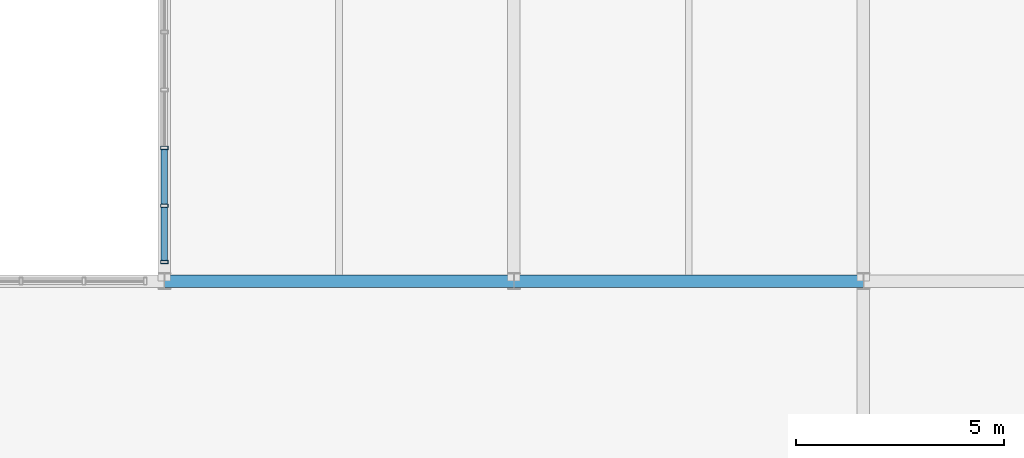
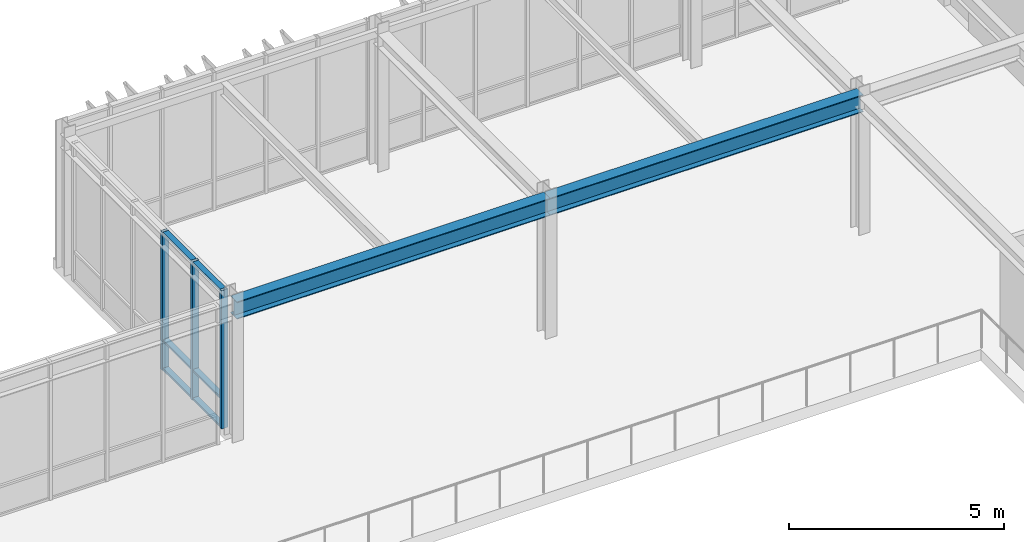
# One storey, part 50 of 127: 9 members, 2 beams, 1 element without a shape of its own.
"""IFC4 building model written with IfcOpenShell, lengths in metres."""

import ifcopenshell
import ifcopenshell.guid

model = None  # the IFC model being written
_history = None  # IfcOwnerHistory: only IFC2X3 demands one
_inside = {}  # id of a spatial element -> (the spatial element, [elements in it])
_under = {}  # id of a project, library or spatial element -> (it, [spatial elements below it])
_declared = {}  # id of a project -> (the project, [libraries it declares])
_typed = {}  # id of a type object -> (the type object, [elements of that type])
_made_of = {}  # id of a material, layer set ... -> (it, [elements and type objects made of it])


def new_model(schema):
    """Start an empty IFC model of exactly this schema.

    Asked for "IFC4X3", IfcOpenShell would pick the latest addendum, in which some entities
    have other attributes; the version numbers below select the first issue.
    IFC2X3 requires an IfcOwnerHistory on every rooted entity: one is made here for all.
    """
    global model, _history
    if schema == "IFC4X3":
        model = ifcopenshell.file(schema_version=(4, 3, 0, 0))
    else:
        model = ifcopenshell.file(schema=schema)
    _inside.clear()
    _under.clear()
    _declared.clear()
    _typed.clear()
    _made_of.clear()
    _history = None
    if model.schema == "IFC2X3":
        org = make("IfcOrganization", Name="unknown")
        user = make(
            "IfcPersonAndOrganization",
            ThePerson=make("IfcPerson", FamilyName="unknown"),
            TheOrganization=org,
        )
        app = make(
            "IfcApplication",
            ApplicationDeveloper=org,
            Version="unknown",
            ApplicationFullName="unknown",
            ApplicationIdentifier="unknown",
        )
        _history = make(
            "IfcOwnerHistory",
            OwningUser=user,
            OwningApplication=app,
            ChangeAction="ADDED",
            CreationDate=0,
        )
    return model


def make(cls, **values):
    """One entity of the class cls with the attributes given. An attribute that is None is left unset."""
    return model.create_entity(
        cls, **{name: value for name, value in values.items() if value is not None}
    )


def rooted(cls, **values):
    """An entity with a GlobalId (a new one), such as an element, a storey or a relation."""
    return make(cls, GlobalId=ifcopenshell.guid.new(), OwnerHistory=_history, **values)


def si_unit(unit_type, name, prefix=None):
    """IfcSIUnit, for example si_unit("LENGTHUNIT", "METRE", prefix="MILLI")."""
    return make("IfcSIUnit", UnitType=unit_type, Prefix=prefix, Name=name)


def assignment(units):
    """IfcUnitAssignment: the units of a project."""
    return None if units is None else make("IfcUnitAssignment", Units=units)


def point(xyz):
    """IfcCartesianPoint."""
    return None if xyz is None else make("IfcCartesianPoint", Coordinates=xyz)


def direction(xyz):
    """IfcDirection."""
    return None if xyz is None else make("IfcDirection", DirectionRatios=xyz)


def frame(location, z_axis=None, x_axis=None):
    """IfcAxis2Placement3D, a coordinate frame: its origin and axes. An axis left out is left unset."""
    return make(
        "IfcAxis2Placement3D",
        Location=point(location),
        Axis=direction(z_axis),
        RefDirection=direction(x_axis),
    )


def frame_2d(location, x_axis=None):
    """IfcAxis2Placement2D, a coordinate frame in the plane: its origin and x axis."""
    return make(
        "IfcAxis2Placement2D", Location=point(location), RefDirection=direction(x_axis)
    )


def origin():
    """The frame at (0, 0, 0) with its axes left unset."""
    return frame((0.0, 0.0, 0.0))


def origin_2d():
    """The frame at (0, 0) in the plane with its x axis left unset."""
    return frame_2d((0.0, 0.0))


def place(relative_to, where):
    """IfcLocalPlacement: puts the frame where relative to a parent placement (None: the world)."""
    return make(
        "IfcLocalPlacement", PlacementRelTo=relative_to, RelativePlacement=where
    )


def context(
    kind, dimensions, precision=None, world=None, true_north=None, identifier=None
):
    """IfcGeometricRepresentationContext, for example the 3D "Model" context."""
    return make(
        "IfcGeometricRepresentationContext",
        ContextIdentifier=identifier,
        ContextType=kind,
        CoordinateSpaceDimension=dimensions,
        Precision=precision,
        WorldCoordinateSystem=world,
        TrueNorth=true_north,
    )


def subcontext(parent, identifier, kind, view, scale=None):
    """IfcGeometricRepresentationSubContext, for example "Body" below "Model"."""
    return make(
        "IfcGeometricRepresentationSubContext",
        ContextIdentifier=identifier,
        ContextType=kind,
        ParentContext=parent,
        TargetScale=scale,
        TargetView=view,
    )


def project(units=None, contexts=None):
    """IfcProject with its units and contexts."""
    return rooted(
        "IfcProject",
        Name="project",
        RepresentationContexts=contexts,
        UnitsInContext=assignment(units),
    )


def spatial(cls, under=None, at=None, **own):
    """A site, building, storey or space (cls), placed at a placement, below another one or the project."""
    s = rooted(cls, ObjectPlacement=at, **own)
    if under is not None:
        _under.setdefault(under.id(), (under, []))[1].append(s)
    return s


def profile(cls, at=None, kind="AREA", **sizes):
    """A parametric profile (cls). Its sizes go by their IFC names, for example OverallWidth=200.0."""
    return make(cls, ProfileType=kind, Position=at, **sizes)


def hollow_rectangle(**sizes):
    """IfcRectangleHollowProfileDef."""
    return profile("IfcRectangleHollowProfileDef", **sizes)


def i_section(**sizes):
    """IfcIShapeProfileDef."""
    return profile("IfcIShapeProfileDef", **sizes)


def extrude(swept, where, along, depth):
    """IfcExtrudedAreaSolid: the profile swept, set in the frame where, extruded along a direction by depth."""
    return make(
        "IfcExtrudedAreaSolid",
        SweptArea=swept,
        Position=where,
        ExtrudedDirection=direction(along),
        Depth=depth,
    )


def shape(context_of_items, identifier, shape_type, items):
    """IfcShapeRepresentation: the items that make up one representation, for example the "Body"."""
    return make(
        "IfcShapeRepresentation",
        ContextOfItems=context_of_items,
        RepresentationIdentifier=identifier,
        RepresentationType=shape_type,
        Items=items,
    )


def material(Name=None, Category=None):
    """IfcMaterial."""
    return make("IfcMaterial", Name=Name, Category=Category)


def layer(
    of_material, thickness, ventilated=None, Name=None, Category=None, Priority=None
):
    """IfcMaterialLayer: one layer of a wall or slab, of a material (None: an air gap)."""
    return make(
        "IfcMaterialLayer",
        Material=of_material,
        LayerThickness=thickness,
        IsVentilated=ventilated,
        Name=Name,
        Category=Category,
        Priority=Priority,
    )


def layer_set(layers, Name=None):
    """IfcMaterialLayerSet."""
    return make("IfcMaterialLayerSet", MaterialLayers=layers, LayerSetName=Name)


def material_profile(
    of_material, cross_section, Name=None, Category=None, Priority=None
):
    """IfcMaterialProfile: a cross section and its material."""
    return make(
        "IfcMaterialProfile",
        Name=Name,
        Material=of_material,
        Profile=cross_section,
        Priority=Priority,
        Category=Category,
    )


def profile_set(profiles, Name=None, composite=None):
    """IfcMaterialProfileSet."""
    return make(
        "IfcMaterialProfileSet",
        Name=Name,
        MaterialProfiles=profiles,
        CompositeProfile=composite,
    )


def made_of(thing, what):
    """Note that an element or type object is made of a material, layer set ...; save() writes the relation."""
    if what is not None:
        _made_of.setdefault(what.id(), (what, []))[1].append(thing)
    return thing


def type_object(cls, material=None, **own):
    """A type object (cls), such as IfcWallType, which elements share."""
    return made_of(rooted(cls, **own), material)


def element(
    cls,
    number,
    at=None,
    inside=None,
    cuts=None,
    type_object=None,
    material=None,
    context=None,
    identifier="Body",
    shape_type=None,
    held_by="IfcProductDefinitionShape",
    body=None,
    shapes=None,
    **own,
):
    """One element of the class cls, such as IfcWall. Its Tag is "e" and its number.

    at: its placement. inside: the storey or other place that contains it. cuts: it is an
    opening in that element (IfcRelVoidsElement). A single representation is given by context,
    identifier, shape_type and body (its items); several are given by shapes. held_by: the class
    of the entity that holds the representations. save() writes the other relations.
    """
    e = rooted(cls, Tag="e%d" % number, ObjectPlacement=at, **own)
    if body is not None:
        shapes = [shape(context, identifier, shape_type, body)]
    if shapes is not None:
        e.Representation = make(held_by, Representations=shapes)
    if inside is not None:
        _inside.setdefault(inside.id(), (inside, []))[1].append(e)
    if cuts is not None:
        rooted(
            "IfcRelVoidsElement", RelatingBuildingElement=cuts, RelatedOpeningElement=e
        )
    if type_object is not None:
        _typed.setdefault(type_object.id(), (type_object, []))[1].append(e)
    return made_of(e, material)


def aggregate(whole, parts):
    """IfcRelAggregates: a whole, such as a stair, and the parts it consists of."""
    return rooted("IfcRelAggregates", RelatingObject=whole, RelatedObjects=parts)


def save(model, path):
    """Write the relations noted so far, then the file.

    IfcRelAggregates (storeys below a building ...), IfcRelContainedInSpatialStructure (elements
    in a storey), IfcRelDefinesByType, IfcRelAssociatesMaterial and IfcRelDeclares: one each for
    every whole, place, type object, material and project.
    """
    for whole, parts in _under.values():
        aggregate(whole, parts)
    for where, things in _inside.values():
        rooted(
            "IfcRelContainedInSpatialStructure",
            RelatedElements=things,
            RelatingStructure=where,
        )
    for kind, things in _typed.values():
        rooted("IfcRelDefinesByType", RelatedObjects=things, RelatingType=kind)
    for what, things in _made_of.values():
        rooted("IfcRelAssociatesMaterial", RelatedObjects=things, RelatingMaterial=what)
    for by, libraries in _declared.values():
        rooted("IfcRelDeclares", RelatingContext=by, RelatedDefinitions=libraries)
    model.write(path)


model = new_model("IFC4")

# Units and contexts
model_context = context("Model", 3, precision=1e-05, world=origin(), true_north=direction((0.0, 1.0)))
body_context = subcontext(model_context, "Body", "Model", "MODEL_VIEW")
ifc_project = project(units=[si_unit("LENGTHUNIT", "METRE"), si_unit("AREAUNIT", "SQUARE_METRE"), si_unit("VOLUMEUNIT", "CUBIC_METRE"), si_unit("PLANEANGLEUNIT", "RADIAN"), si_unit("MASSUNIT", "GRAM", prefix="KILO")], contexts=[model_context])

# Site, building, storey
site_placement = place(None, origin())
site = spatial("IfcSite", under=ifc_project, at=site_placement, CompositionType="ELEMENT")
building_placement = place(site_placement, origin())
building = spatial("IfcBuilding", under=site, at=building_placement, Name="Zayran Congress Hotel", CompositionType="ELEMENT")
storey_placement = place(building_placement, frame((0.0, 0.0, 10.800048828125)))
storey = spatial("IfcBuildingStorey", under=building, at=storey_placement, Name="L02", CompositionType="ELEMENT", Elevation=10.800048828125)

# Beams
ifc_material_1 = material(Name="Steel S355", Category="steel")
ifc_material_profile_1 = material_profile(ifc_material_1, i_section(OverallWidth=0.300048828125, OverallDepth=0.489990234375, WebThickness=0.011962890625, FlangeThickness=0.02294921875, at=origin_2d()), Name="HEA 500")
ifc_profile_set_1 = profile_set([ifc_material_profile_1], Name="Steel S355")
beam_type = type_object("IfcBeamType", Name="TP-BM-05", PredefinedType="BEAM", material=ifc_profile_set_1)
beam_1_placement = place(storey_placement, frame((58.800048828125, 109.60009765625, 3.675048828125), z_axis=(1.0, 0.0, 0.0), x_axis=(0.0, 1.0, 0.0)))
element("IfcBeam", 1, at=beam_1_placement, inside=storey, type_object=beam_type, Name="BM-V1-L02-0696", PredefinedType="BEAM", context=body_context, shape_type="SweptSolid", body=[
    extrude(i_section(OverallWidth=0.300048828125, OverallDepth=0.489990234375, WebThickness=0.011962890625, FlangeThickness=0.02294921875, at=origin_2d()), origin(), (0.0, 0.0, 1.0), 8.39990234375),
])
beam_2_placement = place(storey_placement, frame((67.199951171875, 109.60009765625, 3.675048828125), z_axis=(1.0, 0.0, 0.0), x_axis=(0.0, 1.0, 0.0)))
element("IfcBeam", 2, at=beam_2_placement, inside=storey, type_object=beam_type, Name="BM-V1-L02-0697", PredefinedType="BEAM", context=body_context, shape_type="SweptSolid", body=[
    extrude(i_section(OverallWidth=0.300048828125, OverallDepth=0.489990234375, WebThickness=0.011962890625, FlangeThickness=0.02294921875, at=origin_2d()), origin(), (0.0, 0.0, 1.0), 8.400146484375),
])

# Curtain wall, members
ifc_material_2 = material(Name="Anodised aluminium and low-E insulated glass", Category="aluminium")
ifc_layer = layer(ifc_material_2, 0.179931640625)
ifc_layer_set = layer_set([ifc_layer], Name="Anodised aluminium and low-E insulated glass")
curtain_wall_type = type_object("IfcCurtainWallType", Name="CW-V1NE-L02-CW-25-6960-3920", PredefinedType="USERDEFINED", material=ifc_layer_set)
curtain_wall_placement = place(storey_placement, origin())
curtain_wall = element("IfcCurtainWall", 3, at=curtain_wall_placement, inside=storey, type_object=curtain_wall_type, Name="CW-V1NE-L02", ObjectType="CURTAIN WALL", PredefinedType="USERDEFINED")
ifc_material_3 = material(Name="Anodised aluminium framing", Category="aluminium")
ifc_material_profile_2 = material_profile(ifc_material_3, hollow_rectangle(XDim=0.080078125, YDim=0.179931640625, WallThickness=0.0048828125, at=origin_2d()), Name="RHS 180x80x5")
ifc_profile_set_2 = profile_set([ifc_material_profile_2], Name="Anodised aluminium framing")
member_type_1 = type_object("IfcMemberType", Name="TP-CWM-01", PredefinedType="MULLION", material=ifc_profile_set_2)
member_1_placement = place(storey_placement, frame((58.800048828125, 112.803955078125, 0.0), z_axis=(0.0, 0.0, 1.0), x_axis=(0.0, 1.0, 0.0)))
member_1 = element("IfcMember", 4, at=member_1_placement, type_object=member_type_1, Name="CW-V1NE-L02-M03", PredefinedType="MULLION", context=body_context, shape_type="SweptSolid", body=[
    extrude(hollow_rectangle(XDim=0.080078125, YDim=0.179931640625, WallThickness=0.0048828125, at=origin_2d()), origin(), (0.0, 0.0, 1.0), 3.919921875),
])
member_2_placement = place(storey_placement, frame((58.800048828125, 111.412109375, 0.0), z_axis=(0.0, 0.0, 1.0), x_axis=(0.0, 1.0, 0.0)))
member_2 = element("IfcMember", 5, at=member_2_placement, type_object=member_type_1, Name="CW-V1NE-L02-M04", PredefinedType="MULLION", context=body_context, shape_type="SweptSolid", body=[
    extrude(hollow_rectangle(XDim=0.080078125, YDim=0.179931640625, WallThickness=0.0048828125, at=origin_2d()), origin(), (0.0, 0.0, 1.0), 3.919921875),
])
member_3_placement = place(storey_placement, frame((58.800048828125, 110.06005859375, 0.0), z_axis=(0.0, 0.0, 1.0), x_axis=(0.0, 1.0, 0.0)))
member_3 = element("IfcMember", 6, at=member_3_placement, type_object=member_type_1, Name="CW-V1NE-L02-M05", PredefinedType="MULLION", context=body_context, shape_type="SweptSolid", body=[
    extrude(hollow_rectangle(XDim=0.080078125, YDim=0.179931640625, WallThickness=0.0048828125, at=origin_2d()), origin(), (0.0, 0.0, 1.0), 3.919921875),
])
ifc_material_profile_3 = material_profile(ifc_material_3, hollow_rectangle(XDim=0.06005859375, YDim=0.14990234375, WallThickness=0.00390625, at=origin_2d()), Name="RHS 150x60x4")
ifc_profile_set_3 = profile_set([ifc_material_profile_3], Name="Anodised aluminium framing")
member_type_2 = type_object("IfcMemberType", Name="TP-CWT-01", PredefinedType="USERDEFINED", material=ifc_profile_set_3)
member_4_placement = place(storey_placement, frame((58.800048828125, 112.763916015625, 0.030029296875), z_axis=(0.0, -1.0, 0.0), x_axis=(0.0, 0.0, 1.0)))
member_4 = element("IfcMember", 7, at=member_4_placement, type_object=member_type_2, Name="CW-V1NE-L02-T03-0", ObjectType="TRANSOM", PredefinedType="USERDEFINED", context=body_context, shape_type="SweptSolid", body=[
    extrude(hollow_rectangle(XDim=0.06005859375, YDim=0.14990234375, WallThickness=0.00390625, at=origin_2d()), origin(), (0.0, 0.0, 1.0), 1.31201171875),
])
member_5_placement = place(storey_placement, frame((58.800048828125, 112.763916015625, 0.83984375), z_axis=(0.0, -1.0, 0.0), x_axis=(0.0, 0.0, 1.0)))
member_5 = element("IfcMember", 8, at=member_5_placement, type_object=member_type_2, Name="CW-V1NE-L02-T03-1", ObjectType="TRANSOM", PredefinedType="USERDEFINED", context=body_context, shape_type="SweptSolid", body=[
    extrude(hollow_rectangle(XDim=0.06005859375, YDim=0.14990234375, WallThickness=0.00390625, at=origin_2d()), origin(), (0.0, 0.0, 1.0), 1.31201171875),
])
member_6_placement = place(storey_placement, frame((58.800048828125, 112.763916015625, 3.889892578125), z_axis=(0.0, -1.0, 0.0), x_axis=(0.0, 0.0, 1.0)))
member_6 = element("IfcMember", 9, at=member_6_placement, type_object=member_type_2, Name="CW-V1NE-L02-T03-2", ObjectType="TRANSOM", PredefinedType="USERDEFINED", context=body_context, shape_type="SweptSolid", body=[
    extrude(hollow_rectangle(XDim=0.06005859375, YDim=0.14990234375, WallThickness=0.00390625, at=origin_2d()), origin(), (0.0, 0.0, 1.0), 1.31201171875),
])
member_7_placement = place(storey_placement, frame((58.800048828125, 111.3720703125, 0.030029296875), z_axis=(0.0, -1.0, 0.0), x_axis=(0.0, 0.0, 1.0)))
member_7 = element("IfcMember", 10, at=member_7_placement, type_object=member_type_2, Name="CW-V1NE-L02-T04-0", ObjectType="TRANSOM", PredefinedType="USERDEFINED", context=body_context, shape_type="SweptSolid", body=[
    extrude(hollow_rectangle(XDim=0.06005859375, YDim=0.14990234375, WallThickness=0.00390625, at=origin_2d()), origin(), (0.0, 0.0, 1.0), 1.27197265625),
])
member_8_placement = place(storey_placement, frame((58.800048828125, 111.3720703125, 0.83984375), z_axis=(0.0, -1.0, 0.0), x_axis=(0.0, 0.0, 1.0)))
member_8 = element("IfcMember", 11, at=member_8_placement, type_object=member_type_2, Name="CW-V1NE-L02-T04-1", ObjectType="TRANSOM", PredefinedType="USERDEFINED", context=body_context, shape_type="SweptSolid", body=[
    extrude(hollow_rectangle(XDim=0.06005859375, YDim=0.14990234375, WallThickness=0.00390625, at=origin_2d()), origin(), (0.0, 0.0, 1.0), 1.27197265625),
])
member_9_placement = place(storey_placement, frame((58.800048828125, 111.3720703125, 3.889892578125), z_axis=(0.0, -1.0, 0.0), x_axis=(0.0, 0.0, 1.0)))
member_9 = element("IfcMember", 12, at=member_9_placement, type_object=member_type_2, Name="CW-V1NE-L02-T04-2", ObjectType="TRANSOM", PredefinedType="USERDEFINED", context=body_context, shape_type="SweptSolid", body=[
    extrude(hollow_rectangle(XDim=0.06005859375, YDim=0.14990234375, WallThickness=0.00390625, at=origin_2d()), origin(), (0.0, 0.0, 1.0), 1.27197265625),
])
aggregate(curtain_wall, [member_1, member_2, member_3, member_4, member_5, member_6, member_7, member_8, member_9])

save(model, "model.ifc")
